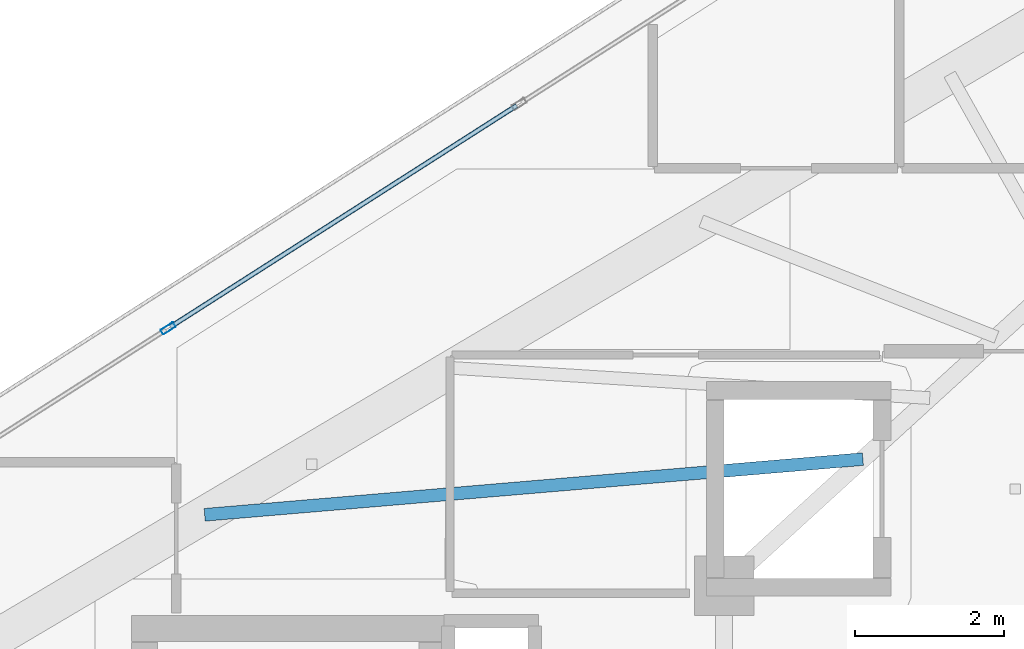
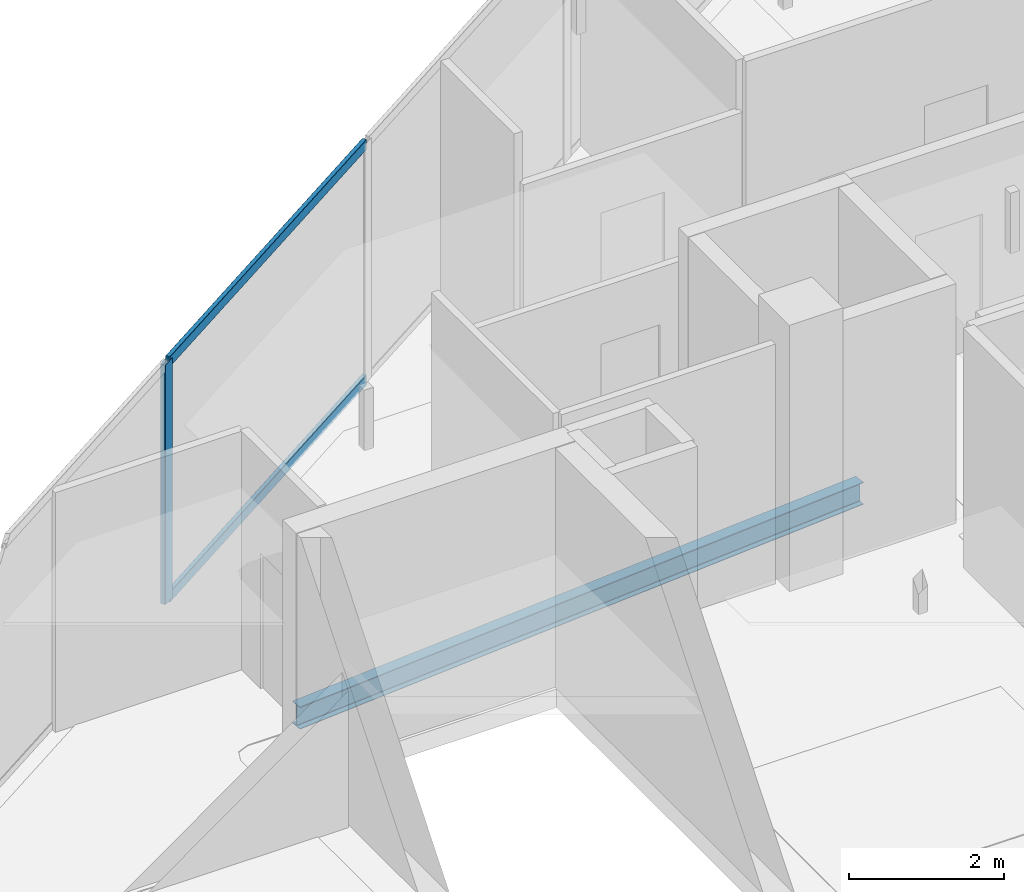
# One storey, part 9 of 26: 3 members, 1 beam, 1 element without a shape of its own.
"""IFC4 building model written with IfcOpenShell, lengths in metres."""

from ifc_helpers import new_model, si_unit, direction, frame, origin, origin_2d, place, context, subcontext, project, spatial, hollow_rectangle, i_section, extrude, material, layer, layer_set, material_profile, profile_set, type_object, element, aggregate, save


model = new_model("IFC4")

# Units and contexts
model_context = context("Model", 3, precision=1e-05, world=origin(), true_north=direction((0.0, 1.0)))
body_context = subcontext(model_context, "Body", "Model", "MODEL_VIEW")
ifc_project = project(units=[si_unit("LENGTHUNIT", "METRE"), si_unit("AREAUNIT", "SQUARE_METRE"), si_unit("VOLUMEUNIT", "CUBIC_METRE"), si_unit("PLANEANGLEUNIT", "RADIAN"), si_unit("MASSUNIT", "GRAM", prefix="KILO")], contexts=[model_context])

# Site, building, storey
site_placement = place(None, origin())
site = spatial("IfcSite", under=ifc_project, at=site_placement, CompositionType="ELEMENT")
building_placement = place(site_placement, origin())
building = spatial("IfcBuilding", under=site, at=building_placement, Name="Qorvath Tower", CompositionType="ELEMENT")
storey_placement = place(building_placement, frame((0.0, 0.0, 322.800048828125)))
storey = spatial("IfcBuildingStorey", under=building, at=storey_placement, Name="L75", CompositionType="ELEMENT", Elevation=322.800048828125)

# Beam
ifc_material_1 = material(Name="Steel ASTM A992 Grade 50", Category="steel")
ifc_material_profile_1 = material_profile(ifc_material_1, i_section(OverallWidth=0.1708984375, OverallDepth=0.35107421875, WebThickness=0.0068359375, FlangeThickness=0.009765625, FilletRadius=0.010009765625, at=origin_2d()), Name="W14x30")
ifc_profile_set_1 = profile_set([ifc_material_profile_1], Name="Steel ASTM A992 Grade 50")
beam_type = type_object("IfcBeamType", Name="BM-FJ4", PredefinedType="JOIST", material=ifc_profile_set_1)
beam_placement = place(storey_placement, frame((-28.636962890625, 6.85107421875, -0.465576171875), z_axis=(-0.996436150147, -0.084350451576, 0.0), x_axis=(0.084350451576, -0.996436150147, 0.0)))
element("IfcBeam", 1, at=beam_placement, inside=storey, type_object=beam_type, Name="Composite Floor Joist NW2 L75", PredefinedType="JOIST", context=body_context, shape_type="SweptSolid", body=[
    extrude(i_section(OverallWidth=0.1708984375, OverallDepth=0.35107421875, WebThickness=0.0068359375, FlangeThickness=0.009765625, FilletRadius=0.010009765625, at=origin_2d()), origin(), (0.0, 0.0, 1.0), 8.87109375),
])

# Curtain wall, members
ifc_material_2 = material(Name="Anodised aluminium and triple low-E glass", Category="aluminium")
ifc_layer = layer(ifc_material_2, 0.179931640625)
ifc_layer_set = layer_set([ifc_layer], Name="CW-SYS-4")
curtain_wall_type = type_object("IfcCurtainWallType", Name="CW-SYS-4", PredefinedType="NOTDEFINED", material=ifc_layer_set)
curtain_wall_placement = place(storey_placement, origin())
curtain_wall = element("IfcCurtainWall", 2, at=curtain_wall_placement, inside=storey, type_object=curtain_wall_type, Name="Curtain Wall CW-4 CW-T-L75-16.1", PredefinedType="NOTDEFINED")
ifc_material_3 = material(Name="Anodised aluminium 6063-T6", Category="aluminium")
ifc_material_profile_2 = material_profile(ifc_material_3, hollow_rectangle(XDim=0.074951171875, YDim=0.199951171875, WallThickness=0.00390625, InnerFilletRadius=0.00390625, OuterFilletRadius=0.008056640625, at=origin_2d()), Name="CWM 200x75")
ifc_profile_set_2 = profile_set([ifc_material_profile_2], Name="Anodised aluminium 6063-T6")
member_type_1 = type_object("IfcMemberType", Name="CWM-200", PredefinedType="MULLION", material=ifc_profile_set_2)
member_1_placement = place(storey_placement, frame((-37.967041015625, 8.606689453125, 0.0), z_axis=(0.0, 0.0, 1.0), x_axis=(0.538535622768, -0.842602743296, 0.0)))
member_1 = element("IfcMember", 3, at=member_1_placement, type_object=member_type_1, Name="CW-4 mullion 5", PredefinedType="MULLION", context=body_context, shape_type="SweptSolid", body=[
    extrude(hollow_rectangle(XDim=0.074951171875, YDim=0.199951171875, WallThickness=0.00390625, InnerFilletRadius=0.00390625, OuterFilletRadius=0.008056640625, at=origin_2d()), origin(), (0.0, 0.0, 1.0), 3.780029296875),
])
ifc_material_4 = material(Name="Anodised aluminium 6063-T6", Category="aluminium")
ifc_material_profile_3 = material_profile(ifc_material_4, hollow_rectangle(XDim=0.06494140625, YDim=0.159912109375, WallThickness=0.00341796875, InnerFilletRadius=0.00341796875, OuterFilletRadius=0.007080078125, at=origin_2d()), Name="CWT 160x65")
ifc_profile_set_3 = profile_set([ifc_material_profile_3], Name="Anodised aluminium 6063-T6")
member_type_2 = type_object("IfcMemberType", Name="CWT-160", PredefinedType="USERDEFINED", material=ifc_profile_set_3)
member_2_placement = place(storey_placement, frame((-33.28564453125, 11.5986328125, 0.032470703125), z_axis=(-0.842601463346, -0.538537625397, 0.0), x_axis=(0.538537625397, -0.842601463346, 0.0)))
member_2 = element("IfcMember", 4, at=member_2_placement, type_object=member_type_2, Name="CW-4 transom 4.1", ObjectType="TRANSOM", PredefinedType="USERDEFINED", context=body_context, shape_type="SweptSolid", body=[
    extrude(hollow_rectangle(XDim=0.06494140625, YDim=0.159912109375, WallThickness=0.00341796875, InnerFilletRadius=0.00341796875, OuterFilletRadius=0.007080078125, at=origin_2d()), origin(), (0.0, 0.0, 1.0), 5.5185546875),
])
member_3_placement = place(storey_placement, frame((-33.28564453125, 11.5986328125, 3.74755859375), z_axis=(-0.842601463346, -0.538537625397, 0.0), x_axis=(0.538537625397, -0.842601463346, 0.0)))
member_3 = element("IfcMember", 5, at=member_3_placement, type_object=member_type_2, Name="CW-4 transom 4.2", ObjectType="TRANSOM", PredefinedType="USERDEFINED", context=body_context, shape_type="SweptSolid", body=[
    extrude(hollow_rectangle(XDim=0.06494140625, YDim=0.159912109375, WallThickness=0.00341796875, InnerFilletRadius=0.00341796875, OuterFilletRadius=0.007080078125, at=origin_2d()), origin(), (0.0, 0.0, 1.0), 5.5185546875),
])
aggregate(curtain_wall, [member_1, member_2, member_3])

save(model, "model.ifc")
